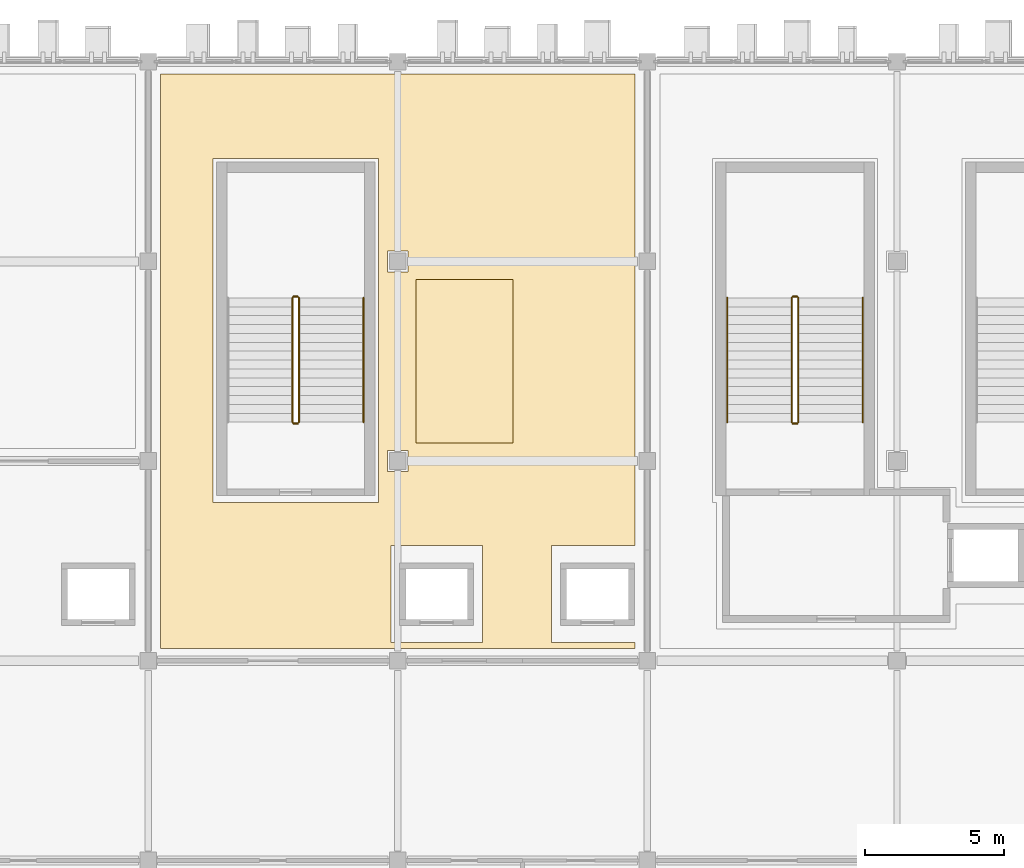
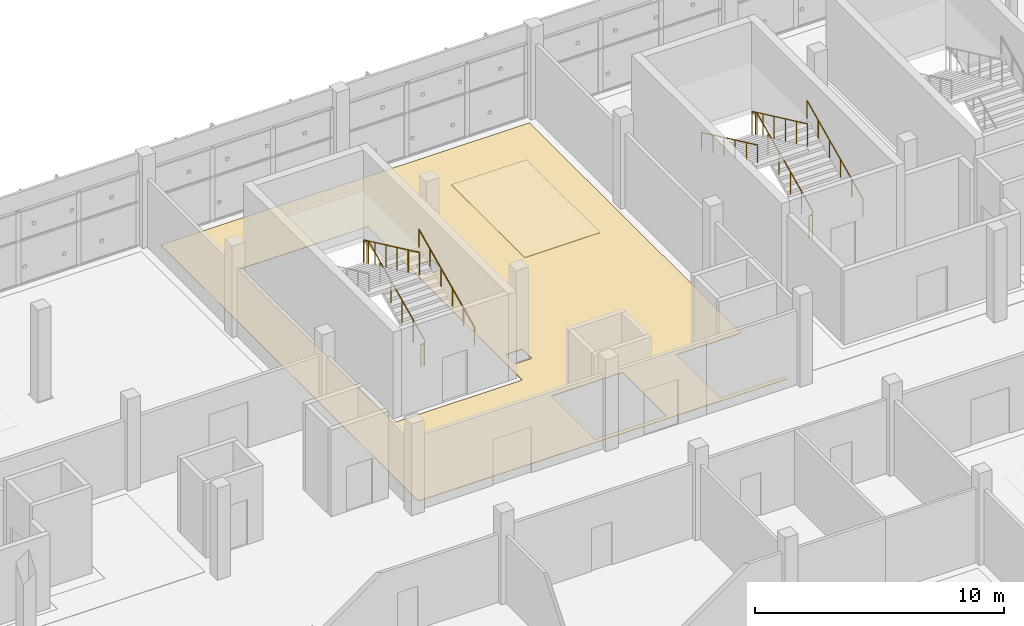
# One storey, part 121 of 124: 11 railings, 2 coverings.
"""IFC4 building model written with IfcOpenShell, lengths in metres."""

from ifc_helpers import new_model, si_unit, direction, frame, origin, origin_2d, place, context, subcontext, project, spatial, polyline, circle, outline, extrude, material, layer, layer_set, type_object, element, save


model = new_model("IFC4")

# Units and contexts
model_context = context("Model", 3, precision=1e-05, world=origin(), true_north=direction((0.0, 1.0)))
body_context = subcontext(model_context, "Body", "Model", "MODEL_VIEW")
ifc_project = project(units=[si_unit("LENGTHUNIT", "METRE"), si_unit("AREAUNIT", "SQUARE_METRE"), si_unit("VOLUMEUNIT", "CUBIC_METRE"), si_unit("PLANEANGLEUNIT", "RADIAN"), si_unit("MASSUNIT", "GRAM", prefix="KILO")], contexts=[model_context])

# Site, building, storey
site_placement = place(None, origin())
site = spatial("IfcSite", under=ifc_project, at=site_placement, CompositionType="ELEMENT")
building_placement = place(site_placement, origin())
building = spatial("IfcBuilding", under=site, at=building_placement, Name="Celestram Park Convention Centre", CompositionType="ELEMENT")
storey_placement = place(building_placement, frame((0.0, 0.0, 15.300048828125)))
storey = spatial("IfcBuildingStorey", under=building, at=storey_placement, Name="L03", CompositionType="ELEMENT", Elevation=15.300048828125)

# Coverings
ifc_material_1 = material(Name="Perforated Acoustic Mineral-Fibre Baffle Ceiling", Category="gypsum")
ifc_layer_1 = layer(ifc_material_1, 0.0400390625)
ifc_layer_set_1 = layer_set([ifc_layer_1], Name="Perforated Acoustic Mineral-Fibre Baffle Ceiling")
covering_type_1 = type_object("IfcCoveringType", Name="ARC-COV-CLG040", PredefinedType="CEILING", material=ifc_layer_set_1)
covering_1_placement = place(storey_placement, frame((0.0, 0.0, 4.2099609375)))
element("IfcCovering", 1, at=covering_1_placement, inside=storey, type_object=covering_type_1, Name="International Roundtable Hall acoustic baffle ceiling", PredefinedType="CEILING", context=body_context, shape_type="SweptSolid", body=[
    extrude(outline(polyline([(72.64990234375, 151.85009765625), (76.14990234375, 151.85009765625), (76.14990234375, 157.75), (72.64990234375, 157.75), (72.64990234375, 151.85009765625)])), origin(), (0.0, 0.0, 1.0), 0.0400390625),
])
ifc_material_2 = material(Name="Polished Lakefront Aggregate Terrazzo Flooring", Category="concrete")
ifc_layer_2 = layer(ifc_material_2, 0.02001953125)
ifc_layer_set_2 = layer_set([ifc_layer_2], Name="Polished Lakefront Aggregate Terrazzo Flooring")
covering_type_2 = type_object("IfcCoveringType", Name="ARC-COV-FLR020", PredefinedType="FLOORING", material=ifc_layer_set_2)
covering_2_placement = place(storey_placement, origin())
element("IfcCovering", 2, at=covering_2_placement, inside=storey, type_object=covering_type_2, Name="International Roundtable Hall terrazzo flooring", PredefinedType="FLOORING", context=body_context, shape_type="SweptSolid", body=[
    extrude(outline(polyline([(63.449951171875, 165.14990234375), (80.550048828125, 165.14990234375), (80.550048828125, 148.14990234375), (77.550048828125, 148.14990234375), (77.550048828125, 144.64990234375), (80.550048828125, 144.64990234375), (80.550048828125, 144.449951171875), (63.449951171875, 144.449951171875), (63.449951171875, 165.14990234375)]), holes=[polyline([(75.050048828125, 148.14990234375), (71.75, 148.14990234375), (71.75, 144.64990234375), (75.050048828125, 144.64990234375), (75.050048828125, 148.14990234375)]), polyline([(71.300048828125, 149.699951171875), (71.300048828125, 162.10009765625), (65.340087890625, 162.10009765625), (65.340087890625, 149.699951171875), (71.300048828125, 149.699951171875)]), polyline([(72.3779296875, 151.577880859375), (71.6220703125, 151.577880859375), (71.6220703125, 150.822021484375), (72.3779296875, 150.822021484375), (72.3779296875, 151.577880859375)]), polyline([(71.6220703125, 158.778076171875), (71.6220703125, 158.02197265625), (72.3779296875, 158.02197265625), (72.3779296875, 158.778076171875), (71.6220703125, 158.778076171875)])]), origin(), (0.0, 0.0, 1.0), 0.02001953125),
])

# Railings
ifc_material_3 = material(Name="Stainless Steel AISI 316L & Laminated Glass", Category="steel")
ifc_layer_3 = layer(ifc_material_3, 0.06005859375)
ifc_layer_set_3 = layer_set([ifc_layer_3], Name="Stainless Steel AISI 316L & Laminated Glass")
railing_type_1 = type_object("IfcRailingType", Name="ARC-RL-GRD1120", PredefinedType="GUARDRAIL", material=ifc_layer_set_3)
railing_1_placement = place(storey_placement, frame((86.43603515625, 152.60009765625, 0.14990234375)))
element("IfcRailing", 3, at=railing_1_placement, inside=storey, type_object=railing_type_1, Name="L03 ST-02 stair guard 1", PredefinedType="GUARDRAIL", context=body_context, shape_type="SweptSolid", body=[
    extrude(circle(Radius=0.02392578125, at=origin_2d()), frame((0.0, 0.0, 1.09619140625), z_axis=(0.0, 0.905450639465, 0.424451574969), x_axis=(-1.0, 0.0, 0.0)), (0.0, 0.0, 1.0), 4.94775390625),
    extrude(circle(Radius=0.02099609375, at=origin_2d()), origin(), (0.0, 0.0, 1.0), 1.072021484375),
    extrude(circle(Radius=0.02099609375, at=origin_2d()), frame((0.0, 0.89599609375, 0.419921875)), (0.0, 0.0, 1.0), 1.072021484375),
    extrude(circle(Radius=0.02099609375, at=origin_2d()), frame((0.0, 1.7919921875, 0.840087890625)), (0.0, 0.0, 1.0), 1.072021484375),
    extrude(circle(Radius=0.02099609375, at=origin_2d()), frame((0.0, 2.68798828125, 1.260009765625)), (0.0, 0.0, 1.0), 1.072021484375),
    extrude(circle(Radius=0.02099609375, at=origin_2d()), frame((0.0, 3.583984375, 1.68017578125)), (0.0, 0.0, 1.0), 1.072021484375),
    extrude(circle(Radius=0.02099609375, at=origin_2d()), frame((0.0, 4.47998046875, 2.10009765625)), (0.0, 0.0, 1.0), 1.072021484375),
])
railing_2_placement = place(storey_placement, frame((86.39990234375, 157.1298828125, 2.25)))
element("IfcRailing", 4, at=railing_2_placement, inside=storey, type_object=railing_type_1, Name="L03 ST-02 stair guard 2", PredefinedType="GUARDRAIL", context=body_context, shape_type="SweptSolid", body=[
    extrude(circle(Radius=0.02392578125, at=origin_2d()), frame((0.0, 0.0, 1.09619140625), z_axis=(-1.0, 0.0, 0.0), x_axis=(0.0, -1.0, 0.0)), (0.0, 0.0, 1.0), 0.159912109375),
    extrude(circle(Radius=0.02099609375, at=origin_2d()), origin(), (0.0, 0.0, 1.0), 1.072021484375),
    extrude(circle(Radius=0.02099609375, at=origin_2d()), frame((-0.159912109375, 0.0, 0.0)), (0.0, 0.0, 1.0), 1.072021484375),
])
railing_3_placement = place(storey_placement, frame((86.2041015625, 157.080078125, 2.39990234375)))
element("IfcRailing", 5, at=railing_3_placement, inside=storey, type_object=railing_type_1, Name="L03 ST-02 stair guard 3", PredefinedType="GUARDRAIL", context=body_context, shape_type="SweptSolid", body=[
    extrude(circle(Radius=0.02392578125, at=origin_2d()), frame((0.0, 0.0, 1.09619140625), z_axis=(0.0, -0.905450639465, 0.424451574969), x_axis=(1.0, 0.0, 0.0)), (0.0, 0.0, 1.0), 4.94775390625),
    extrude(circle(Radius=0.02099609375, at=origin_2d()), origin(), (0.0, 0.0, 1.0), 1.072021484375),
    extrude(circle(Radius=0.02099609375, at=origin_2d()), frame((0.0, -0.89599609375, 0.419921875)), (0.0, 0.0, 1.0), 1.072021484375),
    extrude(circle(Radius=0.02099609375, at=origin_2d()), frame((0.0, -1.7919921875, 0.840087890625)), (0.0, 0.0, 1.0), 1.072021484375),
    extrude(circle(Radius=0.02099609375, at=origin_2d()), frame((0.0, -2.68798828125, 1.260009765625)), (0.0, 0.0, 1.0), 1.072021484375),
    extrude(circle(Radius=0.02099609375, at=origin_2d()), frame((0.0, -3.583984375, 1.68017578125)), (0.0, 0.0, 1.0), 1.072021484375),
    extrude(circle(Radius=0.02099609375, at=origin_2d()), frame((0.0, -4.47998046875, 2.10009765625)), (0.0, 0.0, 1.0), 1.072021484375),
])
railing_4_placement = place(storey_placement, frame((86.39990234375, 152.550048828125, 0.0)))
element("IfcRailing", 6, at=railing_4_placement, inside=storey, type_object=railing_type_1, Name="L03 ST-02 stair guard 4", PredefinedType="GUARDRAIL", context=body_context, shape_type="SweptSolid", body=[
    extrude(circle(Radius=0.02392578125, at=origin_2d()), frame((0.0, 0.0, 1.09619140625), z_axis=(-1.0, 0.0, 0.0), x_axis=(0.0, -1.0, 0.0)), (0.0, 0.0, 1.0), 0.159912109375),
    extrude(circle(Radius=0.02099609375, at=origin_2d()), origin(), (0.0, 0.0, 1.0), 1.072021484375),
    extrude(circle(Radius=0.02099609375, at=origin_2d()), frame((-0.159912109375, 0.0, 0.0)), (0.0, 0.0, 1.0), 1.072021484375),
])
railing_5_placement = place(storey_placement, frame((68.43603515625, 152.60009765625, 0.14990234375)))
element("IfcRailing", 7, at=railing_5_placement, inside=storey, type_object=railing_type_1, Name="L03 ST-14 stair guard 1", PredefinedType="GUARDRAIL", context=body_context, shape_type="SweptSolid", body=[
    extrude(circle(Radius=0.02392578125, at=origin_2d()), frame((0.0, 0.0, 1.09619140625), z_axis=(0.0, 0.905450639465, 0.424451574969), x_axis=(-1.0, 0.0, 0.0)), (0.0, 0.0, 1.0), 4.94775390625),
    extrude(circle(Radius=0.02099609375, at=origin_2d()), origin(), (0.0, 0.0, 1.0), 1.072021484375),
    extrude(circle(Radius=0.02099609375, at=origin_2d()), frame((0.0, 0.89599609375, 0.419921875)), (0.0, 0.0, 1.0), 1.072021484375),
    extrude(circle(Radius=0.02099609375, at=origin_2d()), frame((0.0, 1.7919921875, 0.840087890625)), (0.0, 0.0, 1.0), 1.072021484375),
    extrude(circle(Radius=0.02099609375, at=origin_2d()), frame((0.0, 2.68798828125, 1.260009765625)), (0.0, 0.0, 1.0), 1.072021484375),
    extrude(circle(Radius=0.02099609375, at=origin_2d()), frame((0.0, 3.583984375, 1.68017578125)), (0.0, 0.0, 1.0), 1.072021484375),
    extrude(circle(Radius=0.02099609375, at=origin_2d()), frame((0.0, 4.47998046875, 2.10009765625)), (0.0, 0.0, 1.0), 1.072021484375),
])
railing_6_placement = place(storey_placement, frame((68.39990234375, 157.1298828125, 2.25)))
element("IfcRailing", 8, at=railing_6_placement, inside=storey, type_object=railing_type_1, Name="L03 ST-14 stair guard 2", PredefinedType="GUARDRAIL", context=body_context, shape_type="SweptSolid", body=[
    extrude(circle(Radius=0.02392578125, at=origin_2d()), frame((0.0, 0.0, 1.09619140625), z_axis=(-1.0, 0.0, 0.0), x_axis=(0.0, -1.0, 0.0)), (0.0, 0.0, 1.0), 0.159912109375),
    extrude(circle(Radius=0.02099609375, at=origin_2d()), origin(), (0.0, 0.0, 1.0), 1.072021484375),
    extrude(circle(Radius=0.02099609375, at=origin_2d()), frame((-0.159912109375, 0.0, 0.0)), (0.0, 0.0, 1.0), 1.072021484375),
])
railing_7_placement = place(storey_placement, frame((68.2041015625, 157.080078125, 2.39990234375)))
element("IfcRailing", 9, at=railing_7_placement, inside=storey, type_object=railing_type_1, Name="L03 ST-14 stair guard 3", PredefinedType="GUARDRAIL", context=body_context, shape_type="SweptSolid", body=[
    extrude(circle(Radius=0.02392578125, at=origin_2d()), frame((0.0, 0.0, 1.09619140625), z_axis=(0.0, -0.905450639465, 0.424451574969), x_axis=(1.0, 0.0, 0.0)), (0.0, 0.0, 1.0), 4.94775390625),
    extrude(circle(Radius=0.02099609375, at=origin_2d()), origin(), (0.0, 0.0, 1.0), 1.072021484375),
    extrude(circle(Radius=0.02099609375, at=origin_2d()), frame((0.0, -0.89599609375, 0.419921875)), (0.0, 0.0, 1.0), 1.072021484375),
    extrude(circle(Radius=0.02099609375, at=origin_2d()), frame((0.0, -1.7919921875, 0.840087890625)), (0.0, 0.0, 1.0), 1.072021484375),
    extrude(circle(Radius=0.02099609375, at=origin_2d()), frame((0.0, -2.68798828125, 1.260009765625)), (0.0, 0.0, 1.0), 1.072021484375),
    extrude(circle(Radius=0.02099609375, at=origin_2d()), frame((0.0, -3.583984375, 1.68017578125)), (0.0, 0.0, 1.0), 1.072021484375),
    extrude(circle(Radius=0.02099609375, at=origin_2d()), frame((0.0, -4.47998046875, 2.10009765625)), (0.0, 0.0, 1.0), 1.072021484375),
])
railing_8_placement = place(storey_placement, frame((68.39990234375, 152.550048828125, 0.0)))
element("IfcRailing", 10, at=railing_8_placement, inside=storey, type_object=railing_type_1, Name="L03 ST-14 stair guard 4", PredefinedType="GUARDRAIL", context=body_context, shape_type="SweptSolid", body=[
    extrude(circle(Radius=0.02392578125, at=origin_2d()), frame((0.0, 0.0, 1.09619140625), z_axis=(-1.0, 0.0, 0.0), x_axis=(0.0, -1.0, 0.0)), (0.0, 0.0, 1.0), 0.159912109375),
    extrude(circle(Radius=0.02099609375, at=origin_2d()), origin(), (0.0, 0.0, 1.0), 1.072021484375),
    extrude(circle(Radius=0.02099609375, at=origin_2d()), frame((-0.159912109375, 0.0, 0.0)), (0.0, 0.0, 1.0), 1.072021484375),
])
ifc_material_4 = material(Name="Brushed Stainless Steel AISI 304", Category="steel")
ifc_layer_4 = layer(ifc_material_4, 0.048095703125)
ifc_layer_set_4 = layer_set([ifc_layer_4], Name="Brushed Stainless Steel AISI 304")
railing_type_2 = type_object("IfcRailingType", Name="ARC-RL-HND915", PredefinedType="HANDRAIL", material=ifc_layer_set_4)
railing_9_placement = place(storey_placement, frame((88.763916015625, 152.60009765625, 0.14990234375)))
element("IfcRailing", 11, at=railing_9_placement, inside=storey, type_object=railing_type_2, Name="L03 ST-02 stair handrail 1", PredefinedType="HANDRAIL", context=body_context, shape_type="SweptSolid", body=[
    extrude(circle(Radius=0.02392578125, at=origin_2d()), frame((0.0, 0.0, 0.8759765625), z_axis=(0.0, 0.905450639465, 0.424451574969), x_axis=(-1.0, 0.0, 0.0)), (0.0, 0.0, 1.0), 4.94775390625),
    extrude(circle(Radius=0.02099609375, at=origin_2d()), origin(), (0.0, 0.0, 1.0), 0.851806640625),
    extrude(circle(Radius=0.02099609375, at=origin_2d()), frame((0.0, 0.89599609375, 0.419921875)), (0.0, 0.0, 1.0), 0.851806640625),
    extrude(circle(Radius=0.02099609375, at=origin_2d()), frame((0.0, 1.7919921875, 0.840087890625)), (0.0, 0.0, 1.0), 0.851806640625),
    extrude(circle(Radius=0.02099609375, at=origin_2d()), frame((0.0, 2.68798828125, 1.260009765625)), (0.0, 0.0, 1.0), 0.851806640625),
    extrude(circle(Radius=0.02099609375, at=origin_2d()), frame((0.0, 3.583984375, 1.68017578125)), (0.0, 0.0, 1.0), 0.851806640625),
    extrude(circle(Radius=0.02099609375, at=origin_2d()), frame((0.0, 4.47998046875, 2.10009765625)), (0.0, 0.0, 1.0), 0.851806640625),
])
railing_10_placement = place(storey_placement, frame((83.8759765625, 157.080078125, 2.39990234375)))
element("IfcRailing", 12, at=railing_10_placement, inside=storey, type_object=railing_type_2, Name="L03 ST-02 stair handrail 2", PredefinedType="HANDRAIL", context=body_context, shape_type="SweptSolid", body=[
    extrude(circle(Radius=0.02392578125, at=origin_2d()), frame((0.0, 0.0, 0.8759765625), z_axis=(0.0, -0.905450639465, 0.424451574969), x_axis=(1.0, 0.0, 0.0)), (0.0, 0.0, 1.0), 4.94775390625),
    extrude(circle(Radius=0.02099609375, at=origin_2d()), origin(), (0.0, 0.0, 1.0), 0.851806640625),
    extrude(circle(Radius=0.02099609375, at=origin_2d()), frame((0.0, -0.89599609375, 0.419921875)), (0.0, 0.0, 1.0), 0.851806640625),
    extrude(circle(Radius=0.02099609375, at=origin_2d()), frame((0.0, -1.7919921875, 0.840087890625)), (0.0, 0.0, 1.0), 0.851806640625),
    extrude(circle(Radius=0.02099609375, at=origin_2d()), frame((0.0, -2.68798828125, 1.260009765625)), (0.0, 0.0, 1.0), 0.851806640625),
    extrude(circle(Radius=0.02099609375, at=origin_2d()), frame((0.0, -3.583984375, 1.68017578125)), (0.0, 0.0, 1.0), 0.851806640625),
    extrude(circle(Radius=0.02099609375, at=origin_2d()), frame((0.0, -4.47998046875, 2.10009765625)), (0.0, 0.0, 1.0), 0.851806640625),
])
railing_11_placement = place(storey_placement, frame((70.763916015625, 152.60009765625, 0.14990234375)))
element("IfcRailing", 13, at=railing_11_placement, inside=storey, type_object=railing_type_2, Name="L03 ST-14 stair handrail 1", PredefinedType="HANDRAIL", context=body_context, shape_type="SweptSolid", body=[
    extrude(circle(Radius=0.02392578125, at=origin_2d()), frame((0.0, 0.0, 0.8759765625), z_axis=(0.0, 0.905450639465, 0.424451574969), x_axis=(-1.0, 0.0, 0.0)), (0.0, 0.0, 1.0), 4.94775390625),
    extrude(circle(Radius=0.02099609375, at=origin_2d()), origin(), (0.0, 0.0, 1.0), 0.851806640625),
    extrude(circle(Radius=0.02099609375, at=origin_2d()), frame((0.0, 0.89599609375, 0.419921875)), (0.0, 0.0, 1.0), 0.851806640625),
    extrude(circle(Radius=0.02099609375, at=origin_2d()), frame((0.0, 1.7919921875, 0.840087890625)), (0.0, 0.0, 1.0), 0.851806640625),
    extrude(circle(Radius=0.02099609375, at=origin_2d()), frame((0.0, 2.68798828125, 1.260009765625)), (0.0, 0.0, 1.0), 0.851806640625),
    extrude(circle(Radius=0.02099609375, at=origin_2d()), frame((0.0, 3.583984375, 1.68017578125)), (0.0, 0.0, 1.0), 0.851806640625),
    extrude(circle(Radius=0.02099609375, at=origin_2d()), frame((0.0, 4.47998046875, 2.10009765625)), (0.0, 0.0, 1.0), 0.851806640625),
])

save(model, "model.ifc")
